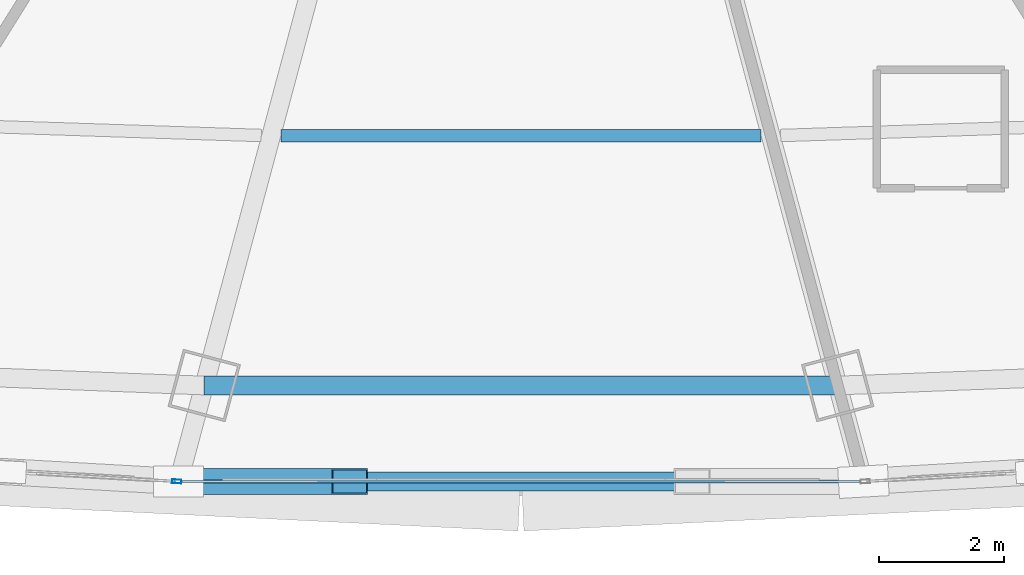
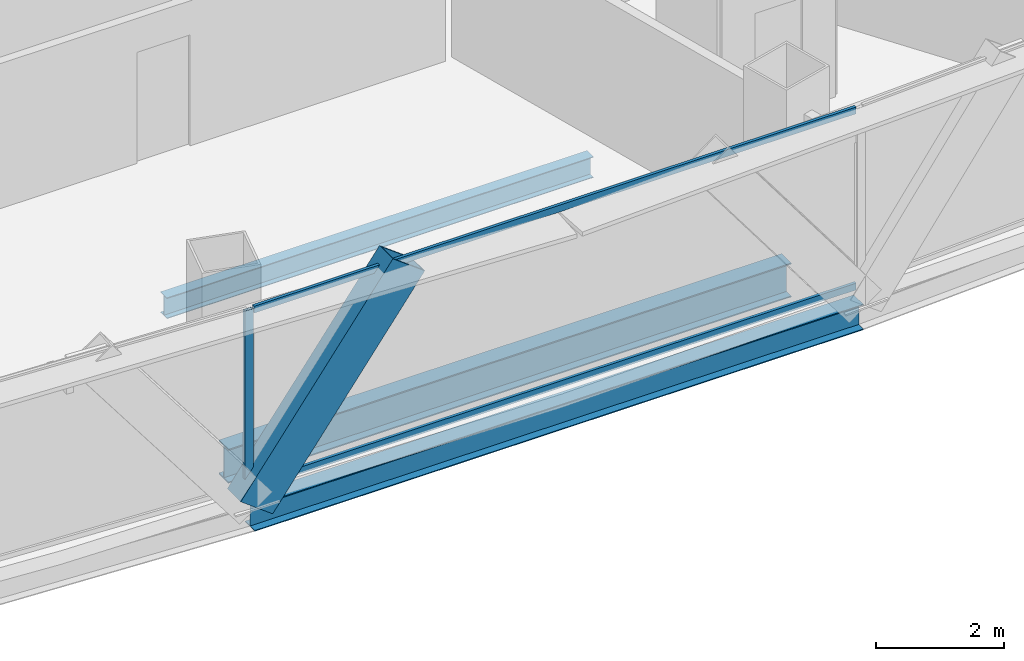
# One storey, part 10 of 39: 4 members, 3 beams, 2 elements without a shape of their own.
"""IFC4 building model written with IfcOpenShell, lengths in metres."""

import ifcopenshell
import ifcopenshell.guid

model = None  # the IFC model being written
_history = None  # IfcOwnerHistory: only IFC2X3 demands one
_inside = {}  # id of a spatial element -> (the spatial element, [elements in it])
_under = {}  # id of a project, library or spatial element -> (it, [spatial elements below it])
_declared = {}  # id of a project -> (the project, [libraries it declares])
_typed = {}  # id of a type object -> (the type object, [elements of that type])
_made_of = {}  # id of a material, layer set ... -> (it, [elements and type objects made of it])


def new_model(schema):
    """Start an empty IFC model of exactly this schema.

    Asked for "IFC4X3", IfcOpenShell would pick the latest addendum, in which some entities
    have other attributes; the version numbers below select the first issue.
    IFC2X3 requires an IfcOwnerHistory on every rooted entity: one is made here for all.
    """
    global model, _history
    if schema == "IFC4X3":
        model = ifcopenshell.file(schema_version=(4, 3, 0, 0))
    else:
        model = ifcopenshell.file(schema=schema)
    _inside.clear()
    _under.clear()
    _declared.clear()
    _typed.clear()
    _made_of.clear()
    _history = None
    if model.schema == "IFC2X3":
        org = make("IfcOrganization", Name="unknown")
        user = make(
            "IfcPersonAndOrganization",
            ThePerson=make("IfcPerson", FamilyName="unknown"),
            TheOrganization=org,
        )
        app = make(
            "IfcApplication",
            ApplicationDeveloper=org,
            Version="unknown",
            ApplicationFullName="unknown",
            ApplicationIdentifier="unknown",
        )
        _history = make(
            "IfcOwnerHistory",
            OwningUser=user,
            OwningApplication=app,
            ChangeAction="ADDED",
            CreationDate=0,
        )
    return model


def make(cls, **values):
    """One entity of the class cls with the attributes given. An attribute that is None is left unset."""
    return model.create_entity(
        cls, **{name: value for name, value in values.items() if value is not None}
    )


def rooted(cls, **values):
    """An entity with a GlobalId (a new one), such as an element, a storey or a relation."""
    return make(cls, GlobalId=ifcopenshell.guid.new(), OwnerHistory=_history, **values)


def si_unit(unit_type, name, prefix=None):
    """IfcSIUnit, for example si_unit("LENGTHUNIT", "METRE", prefix="MILLI")."""
    return make("IfcSIUnit", UnitType=unit_type, Prefix=prefix, Name=name)


def assignment(units):
    """IfcUnitAssignment: the units of a project."""
    return None if units is None else make("IfcUnitAssignment", Units=units)


def point(xyz):
    """IfcCartesianPoint."""
    return None if xyz is None else make("IfcCartesianPoint", Coordinates=xyz)


def direction(xyz):
    """IfcDirection."""
    return None if xyz is None else make("IfcDirection", DirectionRatios=xyz)


def frame(location, z_axis=None, x_axis=None):
    """IfcAxis2Placement3D, a coordinate frame: its origin and axes. An axis left out is left unset."""
    return make(
        "IfcAxis2Placement3D",
        Location=point(location),
        Axis=direction(z_axis),
        RefDirection=direction(x_axis),
    )


def frame_2d(location, x_axis=None):
    """IfcAxis2Placement2D, a coordinate frame in the plane: its origin and x axis."""
    return make(
        "IfcAxis2Placement2D", Location=point(location), RefDirection=direction(x_axis)
    )


def origin():
    """The frame at (0, 0, 0) with its axes left unset."""
    return frame((0.0, 0.0, 0.0))


def origin_2d():
    """The frame at (0, 0) in the plane with its x axis left unset."""
    return frame_2d((0.0, 0.0))


def place(relative_to, where):
    """IfcLocalPlacement: puts the frame where relative to a parent placement (None: the world)."""
    return make(
        "IfcLocalPlacement", PlacementRelTo=relative_to, RelativePlacement=where
    )


def context(
    kind, dimensions, precision=None, world=None, true_north=None, identifier=None
):
    """IfcGeometricRepresentationContext, for example the 3D "Model" context."""
    return make(
        "IfcGeometricRepresentationContext",
        ContextIdentifier=identifier,
        ContextType=kind,
        CoordinateSpaceDimension=dimensions,
        Precision=precision,
        WorldCoordinateSystem=world,
        TrueNorth=true_north,
    )


def subcontext(parent, identifier, kind, view, scale=None):
    """IfcGeometricRepresentationSubContext, for example "Body" below "Model"."""
    return make(
        "IfcGeometricRepresentationSubContext",
        ContextIdentifier=identifier,
        ContextType=kind,
        ParentContext=parent,
        TargetScale=scale,
        TargetView=view,
    )


def project(units=None, contexts=None):
    """IfcProject with its units and contexts."""
    return rooted(
        "IfcProject",
        Name="project",
        RepresentationContexts=contexts,
        UnitsInContext=assignment(units),
    )


def spatial(cls, under=None, at=None, **own):
    """A site, building, storey or space (cls), placed at a placement, below another one or the project."""
    s = rooted(cls, ObjectPlacement=at, **own)
    if under is not None:
        _under.setdefault(under.id(), (under, []))[1].append(s)
    return s


def profile(cls, at=None, kind="AREA", **sizes):
    """A parametric profile (cls). Its sizes go by their IFC names, for example OverallWidth=200.0."""
    return make(cls, ProfileType=kind, Position=at, **sizes)


def hollow_rectangle(**sizes):
    """IfcRectangleHollowProfileDef."""
    return profile("IfcRectangleHollowProfileDef", **sizes)


def i_section(**sizes):
    """IfcIShapeProfileDef."""
    return profile("IfcIShapeProfileDef", **sizes)


def extrude(swept, where, along, depth):
    """IfcExtrudedAreaSolid: the profile swept, set in the frame where, extruded along a direction by depth."""
    return make(
        "IfcExtrudedAreaSolid",
        SweptArea=swept,
        Position=where,
        ExtrudedDirection=direction(along),
        Depth=depth,
    )


def shape(context_of_items, identifier, shape_type, items):
    """IfcShapeRepresentation: the items that make up one representation, for example the "Body"."""
    return make(
        "IfcShapeRepresentation",
        ContextOfItems=context_of_items,
        RepresentationIdentifier=identifier,
        RepresentationType=shape_type,
        Items=items,
    )


def source(mapping_origin, context_of_items, identifier, shape_type, items):
    """IfcRepresentationMap: a shape defined once, which mapped items show again and again."""
    return make(
        "IfcRepresentationMap",
        MappingOrigin=mapping_origin,
        MappedRepresentation=shape(context_of_items, identifier, shape_type, items),
    )


def transform(
    local_origin,
    x_axis=None,
    y_axis=None,
    z_axis=None,
    scale=None,
    scale2=None,
    scale3=None,
    uniform=True,
):
    """IfcCartesianTransformationOperator3D, or its non-uniform kind. x_axis, y_axis, z_axis: its Axis1, 2, 3."""
    if uniform:
        return make(
            "IfcCartesianTransformationOperator3D",
            Axis1=direction(x_axis),
            Axis2=direction(y_axis),
            LocalOrigin=point(local_origin),
            Scale=scale,
            Axis3=direction(z_axis),
        )
    return make(
        "IfcCartesianTransformationOperator3DnonUniform",
        Axis1=direction(x_axis),
        Axis2=direction(y_axis),
        LocalOrigin=point(local_origin),
        Scale=scale,
        Axis3=direction(z_axis),
        Scale2=scale2,
        Scale3=scale3,
    )


def mapped(mapping_source, mapping_target):
    """IfcMappedItem: shows the shape of a source again, moved by a transform."""
    return make(
        "IfcMappedItem", MappingSource=mapping_source, MappingTarget=mapping_target
    )


def material(Name=None, Category=None):
    """IfcMaterial."""
    return make("IfcMaterial", Name=Name, Category=Category)


def layer(
    of_material, thickness, ventilated=None, Name=None, Category=None, Priority=None
):
    """IfcMaterialLayer: one layer of a wall or slab, of a material (None: an air gap)."""
    return make(
        "IfcMaterialLayer",
        Material=of_material,
        LayerThickness=thickness,
        IsVentilated=ventilated,
        Name=Name,
        Category=Category,
        Priority=Priority,
    )


def layer_set(layers, Name=None):
    """IfcMaterialLayerSet."""
    return make("IfcMaterialLayerSet", MaterialLayers=layers, LayerSetName=Name)


def material_profile(
    of_material, cross_section, Name=None, Category=None, Priority=None
):
    """IfcMaterialProfile: a cross section and its material."""
    return make(
        "IfcMaterialProfile",
        Name=Name,
        Material=of_material,
        Profile=cross_section,
        Priority=Priority,
        Category=Category,
    )


def profile_set(profiles, Name=None, composite=None):
    """IfcMaterialProfileSet."""
    return make(
        "IfcMaterialProfileSet",
        Name=Name,
        MaterialProfiles=profiles,
        CompositeProfile=composite,
    )


def made_of(thing, what):
    """Note that an element or type object is made of a material, layer set ...; save() writes the relation."""
    if what is not None:
        _made_of.setdefault(what.id(), (what, []))[1].append(thing)
    return thing


def type_object(cls, material=None, **own):
    """A type object (cls), such as IfcWallType, which elements share."""
    return made_of(rooted(cls, **own), material)


def element(
    cls,
    number,
    at=None,
    inside=None,
    cuts=None,
    type_object=None,
    material=None,
    context=None,
    identifier="Body",
    shape_type=None,
    held_by="IfcProductDefinitionShape",
    body=None,
    shapes=None,
    **own,
):
    """One element of the class cls, such as IfcWall. Its Tag is "e" and its number.

    at: its placement. inside: the storey or other place that contains it. cuts: it is an
    opening in that element (IfcRelVoidsElement). A single representation is given by context,
    identifier, shape_type and body (its items); several are given by shapes. held_by: the class
    of the entity that holds the representations. save() writes the other relations.
    """
    e = rooted(cls, Tag="e%d" % number, ObjectPlacement=at, **own)
    if body is not None:
        shapes = [shape(context, identifier, shape_type, body)]
    if shapes is not None:
        e.Representation = make(held_by, Representations=shapes)
    if inside is not None:
        _inside.setdefault(inside.id(), (inside, []))[1].append(e)
    if cuts is not None:
        rooted(
            "IfcRelVoidsElement", RelatingBuildingElement=cuts, RelatedOpeningElement=e
        )
    if type_object is not None:
        _typed.setdefault(type_object.id(), (type_object, []))[1].append(e)
    return made_of(e, material)


def aggregate(whole, parts):
    """IfcRelAggregates: a whole, such as a stair, and the parts it consists of."""
    return rooted("IfcRelAggregates", RelatingObject=whole, RelatedObjects=parts)


def save(model, path):
    """Write the relations noted so far, then the file.

    IfcRelAggregates (storeys below a building ...), IfcRelContainedInSpatialStructure (elements
    in a storey), IfcRelDefinesByType, IfcRelAssociatesMaterial and IfcRelDeclares: one each for
    every whole, place, type object, material and project.
    """
    for whole, parts in _under.values():
        aggregate(whole, parts)
    for where, things in _inside.values():
        rooted(
            "IfcRelContainedInSpatialStructure",
            RelatedElements=things,
            RelatingStructure=where,
        )
    for kind, things in _typed.values():
        rooted("IfcRelDefinesByType", RelatedObjects=things, RelatingType=kind)
    for what, things in _made_of.values():
        rooted("IfcRelAssociatesMaterial", RelatedObjects=things, RelatingMaterial=what)
    for by, libraries in _declared.values():
        rooted("IfcRelDeclares", RelatingContext=by, RelatedDefinitions=libraries)
    model.write(path)


model = new_model("IFC4")

# Units and contexts
model_context = context("Model", 3, precision=1e-05, world=origin(), true_north=direction((0.0, 1.0)))
body_context = subcontext(model_context, "Body", "Model", "MODEL_VIEW")
ifc_project = project(units=[si_unit("LENGTHUNIT", "METRE"), si_unit("AREAUNIT", "SQUARE_METRE"), si_unit("VOLUMEUNIT", "CUBIC_METRE"), si_unit("PLANEANGLEUNIT", "RADIAN"), si_unit("MASSUNIT", "GRAM", prefix="KILO"), si_unit("THERMODYNAMICTEMPERATUREUNIT", "KELVIN"), si_unit("POWERUNIT", "WATT")], contexts=[model_context])

# Site, building, storey
site_placement = place(None, origin())
site = spatial("IfcSite", under=ifc_project, at=site_placement, CompositionType="ELEMENT")
building_placement = place(site_placement, origin())
building = spatial("IfcBuilding", under=site, at=building_placement, Name="Yunzhuo Pagoda Commons", CompositionType="ELEMENT")
storey_placement = place(building_placement, frame((0.0, 0.0, 144.550048828125)))
storey = spatial("IfcBuildingStorey", under=building, at=storey_placement, Name="L36", CompositionType="ELEMENT", Elevation=144.550048828125)

# Beams
ifc_material_1 = material(Name="Structural steel Q355B", Category="steel")
ifc_material_profile_1 = material_profile(ifc_material_1, i_section(OverallWidth=0.300048828125, OverallDepth=0.64990234375, WebThickness=0.012939453125, FlangeThickness=0.02197265625, at=origin_2d()), Name="Structural steel Q355B")
ifc_profile_set_1 = profile_set([ifc_material_profile_1], Name="Structural steel Q355B")
beam_type_1 = type_object("IfcBeamType", Name="B-RG2 Beam HN 650x300x13x22", PredefinedType="BEAM", material=ifc_profile_set_1)
shared_shape_1 = source(origin(), body_context, "Body", "SweptSolid", [
    extrude(i_section(OverallWidth=0.300048828125, OverallDepth=0.64990234375, WebThickness=0.012939453125, FlangeThickness=0.02197265625, at=origin_2d()), origin(), (0.0, 0.0, 1.0), 10.17041015625),
])
beam_1_placement = place(storey_placement, frame((42.914794921875, 14.7216796875, -0.5849609375), z_axis=(1.0, 0.0, 0.0), x_axis=(0.0, 1.0, 0.0)))
element("IfcBeam", 1, at=beam_1_placement, inside=storey, type_object=beam_type_1, Name="L36 column-ring beam 2", PredefinedType="BEAM", context=body_context, shape_type="MappedRepresentation", body=[
    mapped(shared_shape_1, transform((0.0, 0.0, 0.0), scale=1.0)),
])
ifc_material_profile_2 = material_profile(ifc_material_1, i_section(OverallWidth=0.199951171875, OverallDepth=0.39990234375, WebThickness=0.008056640625, FlangeThickness=0.012939453125, at=origin_2d()), Name="Structural steel Q355B")
ifc_profile_set_2 = profile_set([ifc_material_profile_2], Name="Structural steel Q355B")
beam_type_2 = type_object("IfcBeamType", Name="B-JS1 Joist HN 400x200x8x13", PredefinedType="JOIST", material=ifc_profile_set_2)
shared_shape_2 = source(origin(), body_context, "Body", "SweptSolid", [
    extrude(i_section(OverallWidth=0.199951171875, OverallDepth=0.39990234375, WebThickness=0.008056640625, FlangeThickness=0.012939453125, at=origin_2d()), origin(), (0.0, 0.0, 1.0), 7.7041015625),
])
beam_2_placement = place(storey_placement, frame((44.14794921875, 18.730712890625, -0.4599609375), z_axis=(1.0, 0.0, 0.0), x_axis=(0.0, 1.0, 0.0)))
element("IfcBeam", 2, at=beam_2_placement, inside=storey, type_object=beam_type_2, Name="L36 composite ring joist 2.2", PredefinedType="JOIST", context=body_context, shape_type="MappedRepresentation", body=[
    mapped(shared_shape_2, transform((0.0, 0.0, 0.0), scale=1.0)),
])
ifc_material_profile_3 = material_profile(ifc_material_1, i_section(OverallWidth=0.300048828125, OverallDepth=0.488037109375, WebThickness=0.010986328125, FlangeThickness=0.01806640625, at=origin_2d()), Name="Structural steel Q355B")
ifc_profile_set_3 = profile_set([ifc_material_profile_3], Name="Structural steel Q355B")
beam_type_3 = type_object("IfcBeamType", Name="B-SP1 Beam HM 488x300x11x18", PredefinedType="BEAM", material=ifc_profile_set_3)
shared_shape_3 = source(origin(), body_context, "Body", "SweptSolid", [
    extrude(i_section(OverallWidth=0.300048828125, OverallDepth=0.488037109375, WebThickness=0.010986328125, FlangeThickness=0.01806640625, at=origin_2d()), origin(), (0.0, 0.0, 1.0), 10.99609375),
])
beam_3_placement = place(storey_placement, frame((42.501953125, 13.1806640625, -0.504150390625), z_axis=(1.0, 0.0, 0.0), x_axis=(0.0, 1.0, 0.0)))
element("IfcBeam", 3, at=beam_3_placement, inside=storey, type_object=beam_type_3, Name="L36 facade edge spandrel beam F1.2", PredefinedType="BEAM", context=body_context, shape_type="MappedRepresentation", body=[
    mapped(shared_shape_3, transform((0.0, 0.0, 0.0), scale=1.0)),
])

# Member
ifc_material_2 = material(Name="Structural steel Q420B", Category="steel")
ifc_material_profile_4 = material_profile(ifc_material_2, hollow_rectangle(XDim=0.419921875, YDim=0.719970703125, WallThickness=0.028076171875, at=origin_2d()), Name="Structural steel Q420B")
ifc_profile_set_4 = profile_set([ifc_material_profile_4], Name="Structural steel Q420B")
member_type_1 = type_object("IfcMemberType", Name="M-DL1 Brace BOX 720x420x28", PredefinedType="BRACE", material=ifc_profile_set_4)
shared_shape_4 = source(origin(), body_context, "Body", "SweptSolid", [
    extrude(hollow_rectangle(XDim=0.419921875, YDim=0.719970703125, WallThickness=0.028076171875, at=origin_2d()), origin(), (0.0, 0.0, 1.0), 4.59326171875),
])
member_1_placement = place(storey_placement, frame((42.501953125, 13.1806640625, -0.260009765625), z_axis=(0.598476678281, 0.0, 0.801140228395), x_axis=(0.0, 1.0, 0.0)))
element("IfcMember", 4, at=member_1_placement, inside=storey, type_object=member_type_1, Name="L36 facade diamond brace F1.2L", PredefinedType="BRACE", context=body_context, shape_type="MappedRepresentation", body=[
    mapped(shared_shape_4, transform((0.0, 0.0, 0.0), scale=1.0)),
])

# Curtain wall, member
ifc_material_3 = material(Name="Anodized aluminium 6063-T6", Category="aluminium")
ifc_layer = layer(ifc_material_3, 0.14990234375)
ifc_layer_set = layer_set([ifc_layer], Name="Anodized aluminium 6063-T6")
curtain_wall_type = type_object("IfcCurtainWallType", Name="CW-MID Mid-Zone Ribbon Curtain Wall", PredefinedType="NOTDEFINED", material=ifc_layer_set)
curtain_wall_1_placement = place(storey_placement, origin())
curtain_wall_1 = element("IfcCurtainWall", 5, at=curtain_wall_1_placement, inside=storey, type_object=curtain_wall_type, Name="L36 curtain wall CW-L36-F1B2", PredefinedType="NOTDEFINED")
ifc_material_profile_5 = material_profile(ifc_material_3, hollow_rectangle(XDim=0.06005859375, YDim=0.14990234375, WallThickness=0.00390625, at=origin_2d()), Name="Anodized aluminium 6063-T6")
ifc_profile_set_5 = profile_set([ifc_material_profile_5], Name="Anodized aluminium 6063-T6")
member_type_2 = type_object("IfcMemberType", Name="CW-MID-M Mullion RHS 150x60x4", PredefinedType="MULLION", material=ifc_profile_set_5)
shared_shape_5 = source(origin(), body_context, "Body", "SweptSolid", [
    extrude(hollow_rectangle(XDim=0.06005859375, YDim=0.14990234375, WallThickness=0.00390625, at=origin_2d()), origin(), (0.0, 0.0, 1.0), 3.419921875),
])
member_2_placement = place(storey_placement, frame((42.471923828125, 13.182373046875, 0.0), z_axis=(0.0, 0.0, 1.0), x_axis=(0.056597401536, 0.998397082397, 0.0)))
member_2 = element("IfcMember", 6, at=member_2_placement, type_object=member_type_2, Name="CW mullion 2", PredefinedType="MULLION", context=body_context, shape_type="MappedRepresentation", body=[
    mapped(shared_shape_5, transform((0.0, 0.0, 0.0), scale=1.0)),
])
aggregate(curtain_wall_1, [member_2])

# Curtain wall, members
curtain_wall_2_placement = place(storey_placement, origin())
curtain_wall_2 = element("IfcCurtainWall", 7, at=curtain_wall_2_placement, inside=storey, type_object=curtain_wall_type, Name="L36 curtain wall CW-L36-F1B3", PredefinedType="NOTDEFINED")
ifc_material_profile_6 = material_profile(ifc_material_3, hollow_rectangle(XDim=0.054931640625, YDim=0.1298828125, WallThickness=0.00341796875, at=origin_2d()), Name="Anodized aluminium 6063-T6")
ifc_profile_set_6 = profile_set([ifc_material_profile_6], Name="Anodized aluminium 6063-T6")
member_type_3 = type_object("IfcMemberType", Name="CW-MID-T Transom RHS 130x55x3.5", PredefinedType="USERDEFINED", material=ifc_profile_set_6)
shared_shape_6 = source(origin(), body_context, "Body", "SweptSolid", [
    extrude(hollow_rectangle(XDim=0.054931640625, YDim=0.1298828125, WallThickness=0.00341796875, at=origin_2d()), origin(), (0.0, 0.0, 1.0), 10.8759765625),
])
member_3_placement = place(storey_placement, frame((42.56201171875, 13.1806640625, 0.02734375), z_axis=(1.0, 0.0, 0.0), x_axis=(0.0, 1.0, 0.0)))
member_3 = element("IfcMember", 8, at=member_3_placement, type_object=member_type_3, Name="CW transom 1.1", ObjectType="TRANSOM", PredefinedType="USERDEFINED", context=body_context, shape_type="MappedRepresentation", body=[
    mapped(shared_shape_6, transform((0.0, 0.0, 0.0), scale=1.0)),
])
member_4_placement = place(storey_placement, frame((42.56201171875, 13.1806640625, 3.392333984375), z_axis=(1.0, 0.0, 0.0), x_axis=(0.0, 1.0, 0.0)))
member_4 = element("IfcMember", 9, at=member_4_placement, type_object=member_type_3, Name="CW transom 1.2", ObjectType="TRANSOM", PredefinedType="USERDEFINED", context=body_context, shape_type="MappedRepresentation", body=[
    mapped(shared_shape_6, transform((0.0, 0.0, 0.0), scale=1.0)),
])
aggregate(curtain_wall_2, [member_3, member_4])

save(model, "model.ifc")
